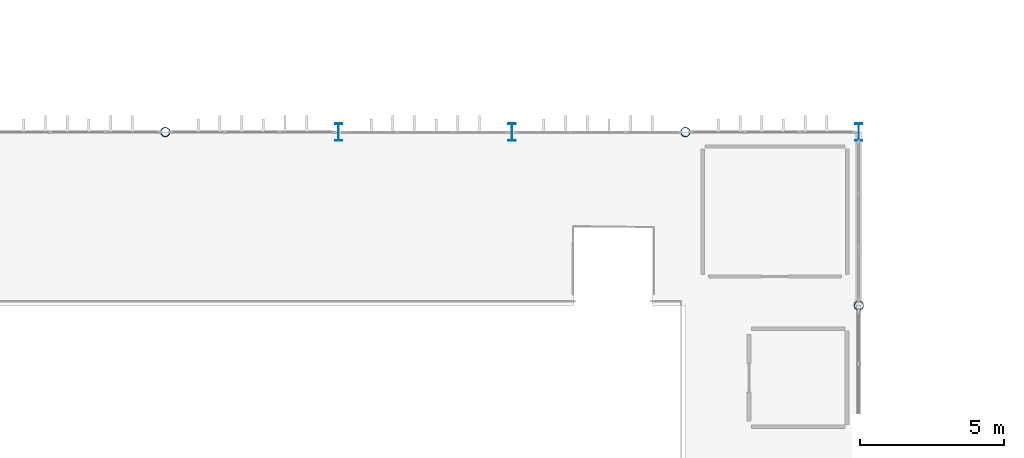
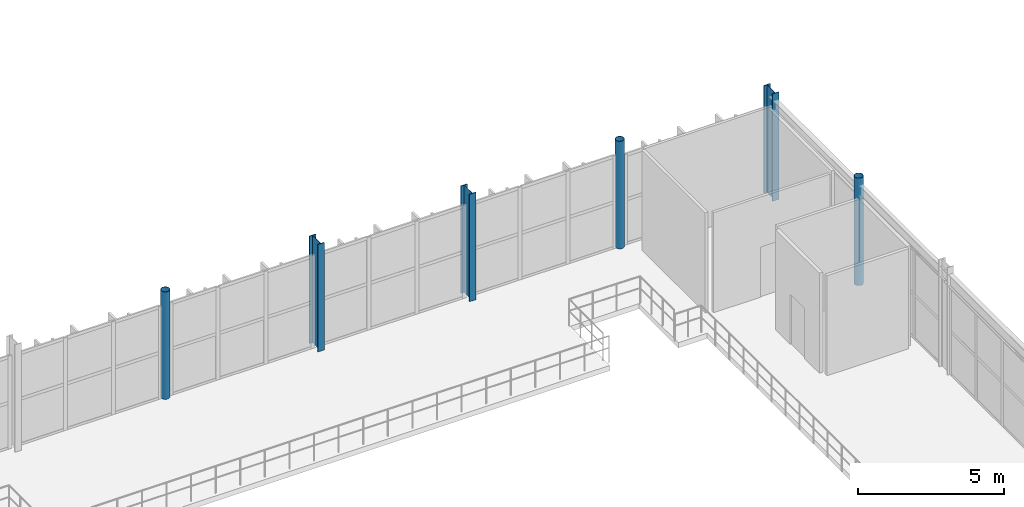
# One storey, part 9 of 96: 6 columns.
"""IFC4 building model written with IfcOpenShell, lengths in metres."""

from ifc_helpers import new_model, si_unit, direction, frame, origin, origin_2d, place, context, subcontext, project, spatial, hollow_circle, i_section, extrude, material, material_profile, profile_set, type_object, element, save


model = new_model("IFC4")

# Units and contexts
model_context = context("Model", 3, precision=1e-05, world=origin(), true_north=direction((0.0, 1.0)))
body_context = subcontext(model_context, "Body", "Model", "MODEL_VIEW")
ifc_project = project(units=[si_unit("LENGTHUNIT", "METRE"), si_unit("AREAUNIT", "SQUARE_METRE"), si_unit("VOLUMEUNIT", "CUBIC_METRE"), si_unit("PLANEANGLEUNIT", "RADIAN"), si_unit("MASSUNIT", "GRAM", prefix="KILO")], contexts=[model_context])

# Site, building, storey
site_placement = place(None, origin())
site = spatial("IfcSite", under=ifc_project, at=site_placement, CompositionType="ELEMENT")
building_placement = place(site_placement, origin())
building = spatial("IfcBuilding", under=site, at=building_placement, Name="Varnakota Square Police Headquarters", CompositionType="ELEMENT")
storey_placement = place(building_placement, frame((0.0, 0.0, 4.800048828125)))
storey = spatial("IfcBuildingStorey", under=building, at=storey_placement, Name="L01", CompositionType="ELEMENT", Elevation=4.800048828125)

# Columns
ifc_material = material(Name="Steel IS 2062 Grade 350", Category="steel")
ifc_material_profile_1 = material_profile(ifc_material, hollow_circle(Radius=0.161865234375, WallThickness=0.0126953125, at=origin_2d()), Name="CHS 323.9x12.7")
ifc_profile_set_1 = profile_set([ifc_material_profile_1], Name="Steel IS 2062 Grade 350")
column_type_1 = type_object("IfcColumnType", Name="COL-CHS324", PredefinedType="COLUMN", material=ifc_profile_set_1)
for number, where, z_axis, x_axis, name in (
    (1, (72.0, 39.0, 0.0), (0.0, 0.0, 1.0), (1.0, 0.0, 0.0), "Column X0720-Y0390 L01"),
    (2, (90.0, 39.0, 0.0), (0.0, 0.0, 1.0), (1.0, 0.0, 0.0), "Column X0900-Y0390 L01"),
    (3, (96.0, 33.0, 0.0), (0.0, 0.0, 1.0), (1.0, 0.0, 0.0), "Column X0960-Y0330 L01"),
):
    element("IfcColumn", number, at=place(storey_placement, frame(where, z_axis=z_axis, x_axis=x_axis)), inside=storey, type_object=column_type_1, Name=name, PredefinedType="COLUMN", context=body_context, shape_type="SweptSolid", body=[
        extrude(hollow_circle(Radius=0.161865234375, WallThickness=0.0126953125, at=origin_2d()), origin(), (0.0, 0.0, 1.0), 4.5),
    ])
ifc_material_profile_2 = material_profile(ifc_material, i_section(OverallWidth=0.25, OverallDepth=0.60009765625, WebThickness=0.01171875, FlangeThickness=0.023681640625, FilletRadius=0.01708984375, at=origin_2d()), Name="ISWB 600")
ifc_profile_set_2 = profile_set([ifc_material_profile_2], Name="Steel IS 2062 Grade 350")
column_type_2 = type_object("IfcColumnType", Name="COL-ISWB600", PredefinedType="COLUMN", material=ifc_profile_set_2)
for number, where, z_axis, x_axis, name in (
    (4, (78.0, 39.0, 0.0), (0.0, 0.0, 1.0), (1.0, 0.0, 0.0), "Column X0780-Y0390 L01"),
    (5, (84.0, 39.0, 0.0), (0.0, 0.0, 1.0), (1.0, 0.0, 0.0), "Column X0840-Y0390 L01"),
    (6, (96.0, 39.0, 0.0), (0.0, 0.0, 1.0), (1.0, 0.0, 0.0), "Column X0960-Y0390 L01"),
):
    element("IfcColumn", number, at=place(storey_placement, frame(where, z_axis=z_axis, x_axis=x_axis)), inside=storey, type_object=column_type_2, Name=name, PredefinedType="COLUMN", context=body_context, shape_type="SweptSolid", body=[
        extrude(i_section(OverallWidth=0.25, OverallDepth=0.60009765625, WebThickness=0.01171875, FlangeThickness=0.023681640625, FilletRadius=0.01708984375, at=origin_2d()), origin(), (0.0, 0.0, 1.0), 4.5),
    ])

save(model, "model.ifc")
